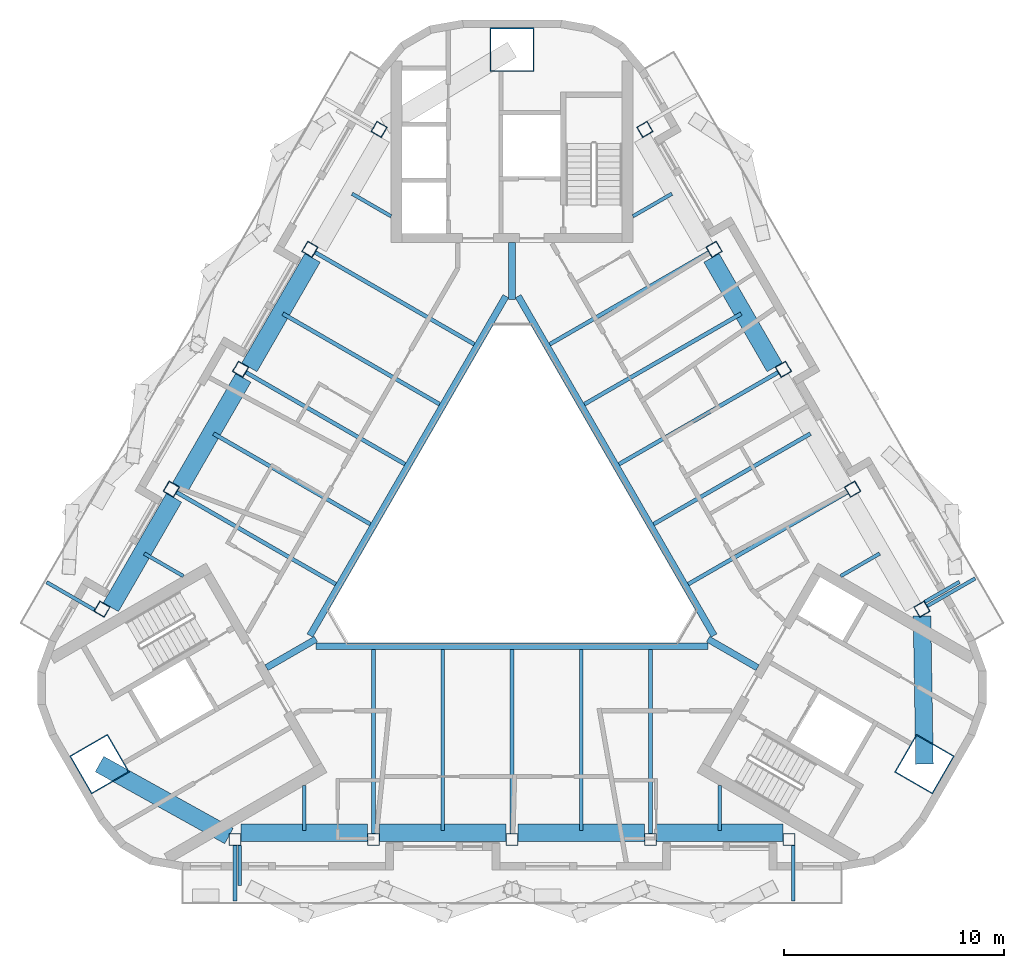
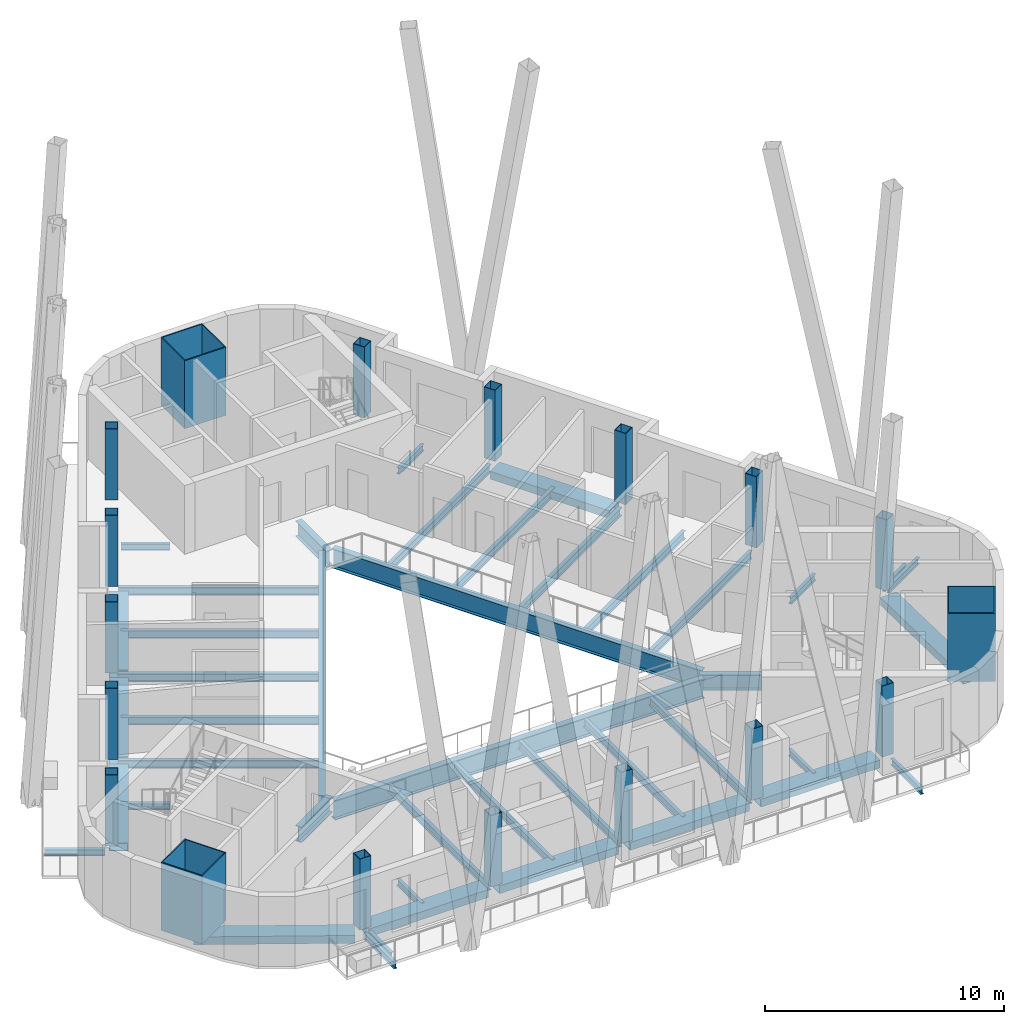
# One storey, part 1 of 12: 43 beams, 18 columns.
"""IFC4 building model written with IfcOpenShell, lengths in metres."""

from ifc_helpers import new_model, si_unit, direction, frame, origin, origin_2d, place, context, subcontext, project, spatial, rectangle, hollow_rectangle, i_section, extrude, boolean, halfspace, material, material_profile, profile_set, type_object, element, save


model = new_model("IFC4")

# Units and contexts
model_context = context("Model", 3, precision=1e-05, world=origin(), true_north=direction((0.0, 1.0)))
body_context = subcontext(model_context, "Body", "Model", "MODEL_VIEW")
ifc_project = project(units=[si_unit("LENGTHUNIT", "METRE"), si_unit("AREAUNIT", "SQUARE_METRE"), si_unit("VOLUMEUNIT", "CUBIC_METRE"), si_unit("PLANEANGLEUNIT", "RADIAN"), si_unit("MASSUNIT", "GRAM", prefix="KILO")], contexts=[model_context])

# Site, building, storey
site_placement = place(None, origin())
site = spatial("IfcSite", under=ifc_project, at=site_placement, CompositionType="ELEMENT")
building_placement = place(site_placement, origin())
building = spatial("IfcBuilding", under=site, at=building_placement, Name="Apuvela Tower Hotel", CompositionType="ELEMENT")
storey_placement = place(building_placement, frame((0.0, 0.0, 324.39990234375)))
storey = spatial("IfcBuildingStorey", under=building, at=storey_placement, Name="L81", CompositionType="ELEMENT", Elevation=324.39990234375)

# Columns
ifc_material_1 = material(Name="Steel S460", Category="steel")
ifc_material_profile_1 = material_profile(ifc_material_1, hollow_rectangle(XDim=2.0, YDim=2.0, WallThickness=0.050048828125, at=origin_2d()), Name="BOX 2000x2000x50")
ifc_material_2 = material(Name="Concrete C80/95", Category="concrete")
ifc_material_profile_2 = material_profile(ifc_material_2, rectangle(XDim=1.89990234375, YDim=1.89990234375, at=origin_2d()), Name="Concrete C80/95 infill")
ifc_profile_set_1 = profile_set([ifc_material_profile_1, ifc_material_profile_2], Name="Steel S460")
column_type_1 = type_object("IfcColumnType", Name="STR-MC mega column BOX 2000x2000x50", PredefinedType="COLUMN", material=ifc_profile_set_1)
for number, where, z_axis, x_axis, name in (
    (1, (0.0, 21.673828125, 0.0), (0.0, 0.0, 1.0), (1.0, 0.0, 0.0), "Mega column MC4 N"),
    (2, (-18.77001953125, -10.8369140625, 0.0), (0.0, 0.0, 1.0), (-0.5, 0.866025403784, 0.0), "Mega column MC4 SW"),
    (3, (18.77001953125, -10.8369140625, 0.0), (0.0, 0.0, 1.0), (0.5, 0.866025403784, 0.0), "Mega column MC4 SE"),
):
    element("IfcColumn", number, at=place(storey_placement, frame(where, z_axis=z_axis, x_axis=x_axis)), inside=storey, type_object=column_type_1, Name=name, PredefinedType="COLUMN", context=body_context, shape_type="SweptSolid", body=[
        boolean("DIFFERENCE", boolean("DIFFERENCE", extrude(hollow_rectangle(XDim=2.0, YDim=2.0, WallThickness=0.050048828125, at=origin_2d()), origin(), (0.0, 0.0, 1.0), 3.7001953125), halfspace(frame((0.0, 0.0, 0.11328125), z_axis=(0.0, 0.0, 1.0), x_axis=(1.0, 0.0, 0.0)), True)), halfspace(frame((0.0, 0.0, 3.5869140625), z_axis=(0.0, 0.0, 1.0), x_axis=(1.0, 0.0, 0.0)), False)),
    ])
ifc_material_profile_3 = material_profile(ifc_material_1, hollow_rectangle(XDim=0.550048828125, YDim=0.550048828125, WallThickness=0.02490234375, at=origin_2d()), Name="BOX 550x550x25")
ifc_material_profile_4 = material_profile(ifc_material_2, rectangle(XDim=0.5, YDim=0.5, at=origin_2d()), Name="Concrete C80/95 infill")
ifc_profile_set_2 = profile_set([ifc_material_profile_3, ifc_material_profile_4], Name="Steel S460")
column_type_2 = type_object("IfcColumnType", Name="STR-PC perimeter column BOX 550x550x25", PredefinedType="COLUMN", material=ifc_profile_set_2)
column_1_placement = place(storey_placement, frame((-12.60498046875, -14.260498046875, 0.0), z_axis=(0.0, 0.0, 1.0), x_axis=(-1.0, 0.0, 0.0)))
element("IfcColumn", 4, at=column_1_placement, inside=storey, type_object=column_type_2, Name="Perimeter column C7 S1", PredefinedType="COLUMN", context=body_context, shape_type="SweptSolid", body=[
    boolean("DIFFERENCE", boolean("DIFFERENCE", extrude(hollow_rectangle(XDim=0.550048828125, YDim=0.550048828125, WallThickness=0.02490234375, at=origin_2d()), origin(), (0.0, 0.0, 1.0), 3.7001953125), halfspace(frame((0.0, 0.0, 0.039794921875), z_axis=(0.0, 0.0, 1.0), x_axis=(1.0, 0.0, 0.0)), True)), halfspace(frame((0.0, 0.0, 3.660400390625), z_axis=(0.0, 0.0, 1.0), x_axis=(1.0, 0.0, 0.0)), False)),
])
column_2_placement = place(storey_placement, frame((-6.302490234375, -14.260498046875, 0.0), z_axis=(0.0, 0.0, 1.0), x_axis=(-1.0, 0.0, 0.0)))
element("IfcColumn", 5, at=column_2_placement, inside=storey, type_object=column_type_2, Name="Perimeter column C7 S2", PredefinedType="COLUMN", context=body_context, shape_type="SweptSolid", body=[
    boolean("DIFFERENCE", boolean("DIFFERENCE", extrude(hollow_rectangle(XDim=0.550048828125, YDim=0.550048828125, WallThickness=0.02490234375, at=origin_2d()), origin(), (0.0, 0.0, 1.0), 3.7001953125), halfspace(frame((0.0, 0.0, 0.033935546875), z_axis=(0.0, 0.0, 1.0), x_axis=(1.0, 0.0, 0.0)), True)), halfspace(frame((0.0, 0.0, 3.666259765625), z_axis=(0.0, 0.0, 1.0), x_axis=(1.0, 0.0, 0.0)), False)),
])
column_3_placement = place(storey_placement, frame((0.0, -14.260498046875, 0.0), z_axis=(0.0, 0.0, 1.0), x_axis=(-1.0, 0.0, 0.0)))
element("IfcColumn", 6, at=column_3_placement, inside=storey, type_object=column_type_2, Name="Perimeter column C7 S3", PredefinedType="COLUMN", context=body_context, shape_type="SweptSolid", body=[
    boolean("DIFFERENCE", boolean("DIFFERENCE", extrude(hollow_rectangle(XDim=0.550048828125, YDim=0.550048828125, WallThickness=0.02490234375, at=origin_2d()), origin(), (0.0, 0.0, 1.0), 3.7001953125), halfspace(frame((0.0, 0.0, 0.031494140625), z_axis=(0.0, 0.0, 1.0), x_axis=(1.0, 0.0, 0.0)), True)), halfspace(frame((0.0, 0.0, 3.668701171875), z_axis=(0.0, 0.0, 1.0), x_axis=(1.0, 0.0, 0.0)), False)),
])
column_4_placement = place(storey_placement, frame((6.302490234375, -14.260498046875, 0.0), z_axis=(0.0, 0.0, 1.0), x_axis=(-1.0, 0.0, 0.0)))
element("IfcColumn", 7, at=column_4_placement, inside=storey, type_object=column_type_2, Name="Perimeter column C7 S4", PredefinedType="COLUMN", context=body_context, shape_type="SweptSolid", body=[
    boolean("DIFFERENCE", boolean("DIFFERENCE", extrude(hollow_rectangle(XDim=0.550048828125, YDim=0.550048828125, WallThickness=0.02490234375, at=origin_2d()), origin(), (0.0, 0.0, 1.0), 3.7001953125), halfspace(frame((0.0, 0.0, 0.033935546875), z_axis=(0.0, 0.0, 1.0), x_axis=(1.0, 0.0, 0.0)), True)), halfspace(frame((0.0, 0.0, 3.666259765625), z_axis=(0.0, 0.0, 1.0), x_axis=(1.0, 0.0, 0.0)), False)),
])
for number, where, z_axis, x_axis, name in (
    (8, (12.60498046875, -14.260498046875, 0.0), (0.0, 0.0, 1.0), (-1.0, 0.0, 0.0), "Perimeter column C7 S5"),
    (9, (18.65234375, -3.785888671875, 0.0), (0.0, 0.0, 1.0), (-0.5, 0.866025403784, 0.0), "Perimeter column C7 NE1"),
):
    element("IfcColumn", number, at=place(storey_placement, frame(where, z_axis=z_axis, x_axis=x_axis)), inside=storey, type_object=column_type_2, Name=name, PredefinedType="COLUMN", context=body_context, shape_type="SweptSolid", body=[
        boolean("DIFFERENCE", boolean("DIFFERENCE", extrude(hollow_rectangle(XDim=0.550048828125, YDim=0.550048828125, WallThickness=0.02490234375, at=origin_2d()), origin(), (0.0, 0.0, 1.0), 3.7001953125), halfspace(frame((0.0, 0.0, 0.039794921875), z_axis=(0.0, 0.0, 1.0), x_axis=(1.0, 0.0, 0.0)), True)), halfspace(frame((0.0, 0.0, 3.660400390625), z_axis=(0.0, 0.0, 1.0), x_axis=(1.0, 0.0, 0.0)), False)),
    ])
column_5_placement = place(storey_placement, frame((15.501220703125, 1.672119140625, 0.0), z_axis=(0.0, 0.0, 1.0), x_axis=(-0.5, 0.866025403784, 0.0)))
element("IfcColumn", 10, at=column_5_placement, inside=storey, type_object=column_type_2, Name="Perimeter column C7 NE2", PredefinedType="COLUMN", context=body_context, shape_type="SweptSolid", body=[
    boolean("DIFFERENCE", boolean("DIFFERENCE", extrude(hollow_rectangle(XDim=0.550048828125, YDim=0.550048828125, WallThickness=0.02490234375, at=origin_2d()), origin(), (0.0, 0.0, 1.0), 3.7001953125), halfspace(frame((0.0, 0.0, 0.033935546875), z_axis=(0.0, 0.0, 1.0), x_axis=(1.0, 0.0, 0.0)), True)), halfspace(frame((0.0, 0.0, 3.666259765625), z_axis=(0.0, 0.0, 1.0), x_axis=(1.0, 0.0, 0.0)), False)),
])
column_6_placement = place(storey_placement, frame((12.349853515625, 7.130126953125, 0.0), z_axis=(0.0, 0.0, 1.0), x_axis=(-0.5, 0.866025403784, 0.0)))
element("IfcColumn", 11, at=column_6_placement, inside=storey, type_object=column_type_2, Name="Perimeter column C7 NE3", PredefinedType="COLUMN", context=body_context, shape_type="SweptSolid", body=[
    boolean("DIFFERENCE", boolean("DIFFERENCE", extrude(hollow_rectangle(XDim=0.550048828125, YDim=0.550048828125, WallThickness=0.02490234375, at=origin_2d()), origin(), (0.0, 0.0, 1.0), 3.7001953125), halfspace(frame((0.0, 0.0, 0.031494140625), z_axis=(0.0, 0.0, 1.0), x_axis=(1.0, 0.0, 0.0)), True)), halfspace(frame((0.0, 0.0, 3.668701171875), z_axis=(0.0, 0.0, 1.0), x_axis=(1.0, 0.0, 0.0)), False)),
])
column_7_placement = place(storey_placement, frame((9.198486328125, 12.58837890625, 0.0), z_axis=(0.0, 0.0, 1.0), x_axis=(-0.5, 0.866025403784, 0.0)))
element("IfcColumn", 12, at=column_7_placement, inside=storey, type_object=column_type_2, Name="Perimeter column C7 NE4", PredefinedType="COLUMN", context=body_context, shape_type="SweptSolid", body=[
    boolean("DIFFERENCE", boolean("DIFFERENCE", extrude(hollow_rectangle(XDim=0.550048828125, YDim=0.550048828125, WallThickness=0.02490234375, at=origin_2d()), origin(), (0.0, 0.0, 1.0), 3.7001953125), halfspace(frame((0.0, 0.0, 0.033935546875), z_axis=(0.0, 0.0, 1.0), x_axis=(1.0, 0.0, 0.0)), True)), halfspace(frame((0.0, 0.0, 3.666259765625), z_axis=(0.0, 0.0, 1.0), x_axis=(1.0, 0.0, 0.0)), False)),
])
for number, where, z_axis, x_axis, name in (
    (13, (6.04736328125, 18.04638671875, 0.0), (0.0, 0.0, 1.0), (-0.5, 0.866025403784, 0.0), "Perimeter column C7 NE5"),
    (14, (-6.04736328125, 18.04638671875, 0.0), (0.0, 0.0, 1.0), (0.5, 0.866025403784, 0.0), "Perimeter column C7 NW1"),
):
    element("IfcColumn", number, at=place(storey_placement, frame(where, z_axis=z_axis, x_axis=x_axis)), inside=storey, type_object=column_type_2, Name=name, PredefinedType="COLUMN", context=body_context, shape_type="SweptSolid", body=[
        boolean("DIFFERENCE", boolean("DIFFERENCE", extrude(hollow_rectangle(XDim=0.550048828125, YDim=0.550048828125, WallThickness=0.02490234375, at=origin_2d()), origin(), (0.0, 0.0, 1.0), 3.7001953125), halfspace(frame((0.0, 0.0, 0.039794921875), z_axis=(0.0, 0.0, 1.0), x_axis=(1.0, 0.0, 0.0)), True)), halfspace(frame((0.0, 0.0, 3.660400390625), z_axis=(0.0, 0.0, 1.0), x_axis=(1.0, 0.0, 0.0)), False)),
    ])
column_8_placement = place(storey_placement, frame((-9.198486328125, 12.58837890625, 0.0), z_axis=(0.0, 0.0, 1.0), x_axis=(0.5, 0.866025403784, 0.0)))
element("IfcColumn", 15, at=column_8_placement, inside=storey, type_object=column_type_2, Name="Perimeter column C7 NW2", PredefinedType="COLUMN", context=body_context, shape_type="SweptSolid", body=[
    boolean("DIFFERENCE", boolean("DIFFERENCE", extrude(hollow_rectangle(XDim=0.550048828125, YDim=0.550048828125, WallThickness=0.02490234375, at=origin_2d()), origin(), (0.0, 0.0, 1.0), 3.7001953125), halfspace(frame((0.0, 0.0, 0.033935546875), z_axis=(0.0, 0.0, 1.0), x_axis=(1.0, 0.0, 0.0)), True)), halfspace(frame((0.0, 0.0, 3.666259765625), z_axis=(0.0, 0.0, 1.0), x_axis=(1.0, 0.0, 0.0)), False)),
])
column_9_placement = place(storey_placement, frame((-12.349853515625, 7.130126953125, 0.0), z_axis=(0.0, 0.0, 1.0), x_axis=(0.5, 0.866025403784, 0.0)))
element("IfcColumn", 16, at=column_9_placement, inside=storey, type_object=column_type_2, Name="Perimeter column C7 NW3", PredefinedType="COLUMN", context=body_context, shape_type="SweptSolid", body=[
    boolean("DIFFERENCE", boolean("DIFFERENCE", extrude(hollow_rectangle(XDim=0.550048828125, YDim=0.550048828125, WallThickness=0.02490234375, at=origin_2d()), origin(), (0.0, 0.0, 1.0), 3.7001953125), halfspace(frame((0.0, 0.0, 0.031494140625), z_axis=(0.0, 0.0, 1.0), x_axis=(1.0, 0.0, 0.0)), True)), halfspace(frame((0.0, 0.0, 3.668701171875), z_axis=(0.0, 0.0, 1.0), x_axis=(1.0, 0.0, 0.0)), False)),
])
column_10_placement = place(storey_placement, frame((-15.501220703125, 1.672119140625, 0.0), z_axis=(0.0, 0.0, 1.0), x_axis=(0.5, 0.866025403784, 0.0)))
element("IfcColumn", 17, at=column_10_placement, inside=storey, type_object=column_type_2, Name="Perimeter column C7 NW4", PredefinedType="COLUMN", context=body_context, shape_type="SweptSolid", body=[
    boolean("DIFFERENCE", boolean("DIFFERENCE", extrude(hollow_rectangle(XDim=0.550048828125, YDim=0.550048828125, WallThickness=0.02490234375, at=origin_2d()), origin(), (0.0, 0.0, 1.0), 3.7001953125), halfspace(frame((0.0, 0.0, 0.033935546875), z_axis=(0.0, 0.0, 1.0), x_axis=(1.0, 0.0, 0.0)), True)), halfspace(frame((0.0, 0.0, 3.666259765625), z_axis=(0.0, 0.0, 1.0), x_axis=(1.0, 0.0, 0.0)), False)),
])
column_11_placement = place(storey_placement, frame((-18.65234375, -3.785888671875, 0.0), z_axis=(0.0, 0.0, 1.0), x_axis=(0.5, 0.866025403784, 0.0)))
element("IfcColumn", 18, at=column_11_placement, inside=storey, type_object=column_type_2, Name="Perimeter column C7 NW5", PredefinedType="COLUMN", context=body_context, shape_type="SweptSolid", body=[
    boolean("DIFFERENCE", boolean("DIFFERENCE", extrude(hollow_rectangle(XDim=0.550048828125, YDim=0.550048828125, WallThickness=0.02490234375, at=origin_2d()), origin(), (0.0, 0.0, 1.0), 3.7001953125), halfspace(frame((0.0, 0.0, 0.039794921875), z_axis=(0.0, 0.0, 1.0), x_axis=(1.0, 0.0, 0.0)), True)), halfspace(frame((0.0, 0.0, 3.660400390625), z_axis=(0.0, 0.0, 1.0), x_axis=(1.0, 0.0, 0.0)), False)),
])

# Beams
ifc_material_3 = material(Name="Steel S355", Category="steel")
ifc_material_profile_5 = material_profile(ifc_material_3, i_section(OverallWidth=0.159912109375, OverallDepth=0.330078125, WebThickness=0.007568359375, FlangeThickness=0.011474609375, at=origin_2d()), Name="IPE 330")
ifc_profile_set_3 = profile_set([ifc_material_profile_5], Name="Steel S355")
beam_type_1 = type_object("IfcBeamType", Name="ENV-BALCONY-BEAM-IPE330", PredefinedType="BEAM", material=ifc_profile_set_3)
beam_1_placement = place(storey_placement, frame((-12.60498046875, -14.535400390625, -0.31494140625), z_axis=(0.0, -1.0, 0.0), x_axis=(1.0, 0.0, 0.0)))
element("IfcBeam", 19, at=beam_1_placement, inside=storey, type_object=beam_type_1, Name="Balcony cantilever beam S1 L81", PredefinedType="BEAM", context=body_context, shape_type="SweptSolid", body=[
    extrude(i_section(OverallWidth=0.159912109375, OverallDepth=0.330078125, WebThickness=0.007568359375, FlangeThickness=0.011474609375, at=origin_2d()), origin(), (0.0, 0.0, 1.0), 2.52490234375),
])
beam_2_placement = place(storey_placement, frame((-12.385009765625, -14.535400390625, -0.31494140625), z_axis=(0.0, -1.0, 0.0), x_axis=(1.0, 0.0, 0.0)))
element("IfcBeam", 20, at=beam_2_placement, inside=storey, type_object=beam_type_1, Name="Balcony cantilever beam S2 L81", PredefinedType="BEAM", context=body_context, shape_type="SweptSolid", body=[
    extrude(i_section(OverallWidth=0.159912109375, OverallDepth=0.330078125, WebThickness=0.007568359375, FlangeThickness=0.011474609375, at=origin_2d()), origin(), (0.0, 0.0, 1.0), 1.824951171875),
])
for number, where, z_axis, x_axis, name in (
    (21, (12.804931640625, -14.535400390625, -0.31494140625), (0.0, -1.0, 0.0), (1.0, 0.0, 0.0), "Balcony cantilever beam S3 L81"),
    (22, (18.890380859375, -3.6484375, -0.31494140625), (0.866039067339, 0.499976333282, 0.0), (-0.499976333282, 0.866039067339, 0.0), "Balcony cantilever beam NE1 L81"),
):
    element("IfcBeam", number, at=place(storey_placement, frame(where, z_axis=z_axis, x_axis=x_axis)), inside=storey, type_object=beam_type_1, Name=name, PredefinedType="BEAM", context=body_context, shape_type="SweptSolid", body=[
        extrude(i_section(OverallWidth=0.159912109375, OverallDepth=0.330078125, WebThickness=0.007568359375, FlangeThickness=0.011474609375, at=origin_2d()), origin(), (0.0, 0.0, 1.0), 2.52490234375),
    ])
beam_3_placement = place(storey_placement, frame((18.780517578125, -3.4580078125, -0.31494140625), z_axis=(0.865978377894, 0.500081442387, 0.0), x_axis=(-0.500081442387, 0.865978377894, 0.0)))
element("IfcBeam", 23, at=beam_3_placement, inside=storey, type_object=beam_type_1, Name="Balcony cantilever beam NE2 L81", PredefinedType="BEAM", context=body_context, shape_type="SweptSolid", body=[
    extrude(i_section(OverallWidth=0.159912109375, OverallDepth=0.330078125, WebThickness=0.007568359375, FlangeThickness=0.011474609375, at=origin_2d()), origin(), (0.0, 0.0, 1.0), 1.824951171875),
])
beam_4_placement = place(storey_placement, frame((-18.990478515625, -3.82177734375, -0.31494140625), z_axis=(-0.865997200291, 0.500048846702, 0.0), x_axis=(-0.500048846702, -0.865997200291, 0.0)))
element("IfcBeam", 24, at=beam_4_placement, inside=storey, type_object=beam_type_1, Name="Balcony cantilever beam NW3 L81", PredefinedType="BEAM", context=body_context, shape_type="SweptSolid", body=[
    extrude(i_section(OverallWidth=0.159912109375, OverallDepth=0.330078125, WebThickness=0.007568359375, FlangeThickness=0.011474609375, at=origin_2d()), origin(), (0.0, 0.0, 1.0), 2.525146484375),
])
ifc_material_profile_6 = material_profile(ifc_material_3, i_section(OverallWidth=0.159912109375, OverallDepth=0.330078125, WebThickness=0.007568359375, FlangeThickness=0.011474609375, at=origin_2d()), Name="IPE 330")
ifc_profile_set_4 = profile_set([ifc_material_profile_6], Name="Steel S355")
beam_type_2 = type_object("IfcBeamType", Name="STR-B floor beam IPE 330", PredefinedType="BEAM", material=ifc_profile_set_4)
for number, where, z_axis, x_axis, name in (
    (25, (16.730224609375, -1.2568359375, -0.31494140625), (-0.865993345452, -0.500055522549, 0.0), (0.500055522549, -0.865993345452, 0.0), "Floor beam B1 NE2"),
    (26, (7.276611328125, 15.1171875, -0.31494140625), (-0.866044878051, -0.499966268063, 0.0), (0.499966268063, -0.866044878051, 0.0), "Floor beam B1 NE8"),
    (27, (-7.276611328125, 15.1171875, -0.31494140625), (0.866044878051, -0.499966268063, 0.0), (0.499966268063, 0.866044878051, 0.0), "Floor beam B1 NW2"),
    (28, (-16.730224609375, -1.2568359375, -0.31494140625), (0.865993345452, -0.500055522549, 0.0), (0.500055522549, 0.865993345452, 0.0), "Floor beam B1 NW8"),
    (29, (-9.45361328125, -13.8603515625, -0.31494140625), (0.0, 1.0, 0.0), (-1.0, 0.0, 0.0), "Floor beam B1 S2"),
    (30, (9.45361328125, -13.8603515625, -0.31494140625), (0.0, 1.0, 0.0), (-1.0, 0.0, 0.0), "Floor beam B1 S8"),
):
    element("IfcBeam", number, at=place(storey_placement, frame(where, z_axis=z_axis, x_axis=x_axis)), inside=storey, type_object=beam_type_2, Name=name, PredefinedType="BEAM", context=body_context, shape_type="SweptSolid", body=[
        extrude(i_section(OverallWidth=0.159912109375, OverallDepth=0.330078125, WebThickness=0.007568359375, FlangeThickness=0.011474609375, at=origin_2d()), origin(), (0.0, 0.0, 1.0), 2.051513671875),
    ])
ifc_material_profile_7 = material_profile(ifc_material_3, i_section(OverallWidth=0.179931640625, OverallDepth=0.39990234375, WebThickness=0.008544921875, FlangeThickness=0.013427734375, at=origin_2d()), Name="IPE 400")
ifc_profile_set_5 = profile_set([ifc_material_profile_7], Name="Steel S355")
beam_type_3 = type_object("IfcBeamType", Name="STR-B floor beam IPE 400", PredefinedType="BEAM", material=ifc_profile_set_5)
beam_5_placement = place(storey_placement, frame((15.262939453125, 1.53466796875, -0.349853515625), z_axis=(-0.866016455095, -0.500015499264, 0.0), x_axis=(0.500015499264, -0.866016455095, 0.0)))
element("IfcBeam", 31, at=beam_5_placement, inside=storey, type_object=beam_type_3, Name="Floor beam B2 NE3", PredefinedType="BEAM", context=body_context, shape_type="SweptSolid", body=[
    extrude(i_section(OverallWidth=0.179931640625, OverallDepth=0.39990234375, WebThickness=0.008544921875, FlangeThickness=0.013427734375, at=origin_2d()), origin(), (0.0, 0.0, 1.0), 8.365478515625),
])
beam_6_placement = place(storey_placement, frame((13.5791015625, 4.201171875, -0.349853515625), z_axis=(-0.866032148122, -0.499988318282, 0.0), x_axis=(0.499988318282, -0.866032148122, 0.0)))
element("IfcBeam", 32, at=beam_6_placement, inside=storey, type_object=beam_type_3, Name="Floor beam B2 NE4", PredefinedType="BEAM", context=body_context, shape_type="SweptSolid", body=[
    extrude(i_section(OverallWidth=0.179931640625, OverallDepth=0.39990234375, WebThickness=0.008544921875, FlangeThickness=0.013427734375, at=origin_2d()), origin(), (0.0, 0.0, 1.0), 8.240478515625),
])
beam_7_placement = place(storey_placement, frame((12.11181640625, 6.99267578125, -0.349853515625), z_axis=(-0.866029092459, -0.499993610973, 0.0), x_axis=(0.499993610973, -0.866029092459, 0.0)))
element("IfcBeam", 33, at=beam_7_placement, inside=storey, type_object=beam_type_3, Name="Floor beam B2 NE5", PredefinedType="BEAM", context=body_context, shape_type="SweptSolid", body=[
    extrude(i_section(OverallWidth=0.179931640625, OverallDepth=0.39990234375, WebThickness=0.008544921875, FlangeThickness=0.013427734375, at=origin_2d()), origin(), (0.0, 0.0, 1.0), 8.365234375),
])
beam_8_placement = place(storey_placement, frame((10.427734375, 9.6591796875, -0.349853515625), z_axis=(-0.866024741388, -0.500001147303, 0.0), x_axis=(0.500001147303, -0.866024741388, 0.0)))
element("IfcBeam", 34, at=beam_8_placement, inside=storey, type_object=beam_type_3, Name="Floor beam B2 NE6", PredefinedType="BEAM", context=body_context, shape_type="SweptSolid", body=[
    extrude(i_section(OverallWidth=0.179931640625, OverallDepth=0.39990234375, WebThickness=0.008544921875, FlangeThickness=0.013427734375, at=origin_2d()), origin(), (0.0, 0.0, 1.0), 8.240234375),
])
for number, where, z_axis, x_axis, name in (
    (35, (8.96044921875, 12.45068359375, -0.349853515625), (-0.866029092459, -0.499993610973, 0.0), (0.499993610973, -0.866029092459, 0.0), "Floor beam B2 NE7"),
    (36, (-8.96044921875, 12.45068359375, -0.349853515625), (0.866029092459, -0.499993610973, 0.0), (0.499993610973, 0.866029092459, 0.0), "Floor beam B2 NW3"),
):
    element("IfcBeam", number, at=place(storey_placement, frame(where, z_axis=z_axis, x_axis=x_axis)), inside=storey, type_object=beam_type_3, Name=name, PredefinedType="BEAM", context=body_context, shape_type="SweptSolid", body=[
        extrude(i_section(OverallWidth=0.179931640625, OverallDepth=0.39990234375, WebThickness=0.008544921875, FlangeThickness=0.013427734375, at=origin_2d()), origin(), (0.0, 0.0, 1.0), 8.365234375),
    ])
beam_9_placement = place(storey_placement, frame((-10.427734375, 9.6591796875, -0.349853515625), z_axis=(0.866024741388, -0.500001147303, 0.0), x_axis=(0.500001147303, 0.866024741388, 0.0)))
element("IfcBeam", 37, at=beam_9_placement, inside=storey, type_object=beam_type_3, Name="Floor beam B2 NW4", PredefinedType="BEAM", context=body_context, shape_type="SweptSolid", body=[
    extrude(i_section(OverallWidth=0.179931640625, OverallDepth=0.39990234375, WebThickness=0.008544921875, FlangeThickness=0.013427734375, at=origin_2d()), origin(), (0.0, 0.0, 1.0), 8.240234375),
])
beam_10_placement = place(storey_placement, frame((-12.11181640625, 6.99267578125, -0.349853515625), z_axis=(0.866029092459, -0.499993610973, 0.0), x_axis=(0.499993610973, 0.866029092459, 0.0)))
element("IfcBeam", 38, at=beam_10_placement, inside=storey, type_object=beam_type_3, Name="Floor beam B2 NW5", PredefinedType="BEAM", context=body_context, shape_type="SweptSolid", body=[
    extrude(i_section(OverallWidth=0.179931640625, OverallDepth=0.39990234375, WebThickness=0.008544921875, FlangeThickness=0.013427734375, at=origin_2d()), origin(), (0.0, 0.0, 1.0), 8.365234375),
])
beam_11_placement = place(storey_placement, frame((-13.5791015625, 4.201171875, -0.349853515625), z_axis=(0.866032148122, -0.499988318282, 0.0), x_axis=(0.499988318282, 0.866032148122, 0.0)))
element("IfcBeam", 39, at=beam_11_placement, inside=storey, type_object=beam_type_3, Name="Floor beam B2 NW6", PredefinedType="BEAM", context=body_context, shape_type="SweptSolid", body=[
    extrude(i_section(OverallWidth=0.179931640625, OverallDepth=0.39990234375, WebThickness=0.008544921875, FlangeThickness=0.013427734375, at=origin_2d()), origin(), (0.0, 0.0, 1.0), 8.240478515625),
])
beam_12_placement = place(storey_placement, frame((-15.262939453125, 1.53466796875, -0.349853515625), z_axis=(0.866016455095, -0.500015499264, 0.0), x_axis=(0.500015499264, 0.866016455095, 0.0)))
element("IfcBeam", 40, at=beam_12_placement, inside=storey, type_object=beam_type_3, Name="Floor beam B2 NW7", PredefinedType="BEAM", context=body_context, shape_type="SweptSolid", body=[
    extrude(i_section(OverallWidth=0.179931640625, OverallDepth=0.39990234375, WebThickness=0.008544921875, FlangeThickness=0.013427734375, at=origin_2d()), origin(), (0.0, 0.0, 1.0), 8.365478515625),
])
beam_13_placement = place(storey_placement, frame((-6.302490234375, -13.9853515625, -0.349853515625), z_axis=(0.0, 1.0, 0.0), x_axis=(-1.0, 0.0, 0.0)))
element("IfcBeam", 41, at=beam_13_placement, inside=storey, type_object=beam_type_3, Name="Floor beam B2 S3", PredefinedType="BEAM", context=body_context, shape_type="SweptSolid", body=[
    extrude(i_section(OverallWidth=0.179931640625, OverallDepth=0.39990234375, WebThickness=0.008544921875, FlangeThickness=0.013427734375, at=origin_2d()), origin(), (0.0, 0.0, 1.0), 8.365234375),
])
beam_14_placement = place(storey_placement, frame((-3.151123046875, -13.8603515625, -0.349853515625), z_axis=(0.0, 1.0, 0.0), x_axis=(-1.0, 0.0, 0.0)))
element("IfcBeam", 42, at=beam_14_placement, inside=storey, type_object=beam_type_3, Name="Floor beam B2 S4", PredefinedType="BEAM", context=body_context, shape_type="SweptSolid", body=[
    extrude(i_section(OverallWidth=0.179931640625, OverallDepth=0.39990234375, WebThickness=0.008544921875, FlangeThickness=0.013427734375, at=origin_2d()), origin(), (0.0, 0.0, 1.0), 8.240234375),
])
beam_15_placement = place(storey_placement, frame((0.0, -13.9853515625, -0.349853515625), z_axis=(0.0, 1.0, 0.0), x_axis=(-1.0, 0.0, 0.0)))
element("IfcBeam", 43, at=beam_15_placement, inside=storey, type_object=beam_type_3, Name="Floor beam B2 S5", PredefinedType="BEAM", context=body_context, shape_type="SweptSolid", body=[
    extrude(i_section(OverallWidth=0.179931640625, OverallDepth=0.39990234375, WebThickness=0.008544921875, FlangeThickness=0.013427734375, at=origin_2d()), origin(), (0.0, 0.0, 1.0), 8.365234375),
])
beam_16_placement = place(storey_placement, frame((3.151123046875, -13.8603515625, -0.349853515625), z_axis=(0.0, 1.0, 0.0), x_axis=(-1.0, 0.0, 0.0)))
element("IfcBeam", 44, at=beam_16_placement, inside=storey, type_object=beam_type_3, Name="Floor beam B2 S6", PredefinedType="BEAM", context=body_context, shape_type="SweptSolid", body=[
    extrude(i_section(OverallWidth=0.179931640625, OverallDepth=0.39990234375, WebThickness=0.008544921875, FlangeThickness=0.013427734375, at=origin_2d()), origin(), (0.0, 0.0, 1.0), 8.240234375),
])
beam_17_placement = place(storey_placement, frame((6.302490234375, -13.9853515625, -0.349853515625), z_axis=(0.0, 1.0, 0.0), x_axis=(-1.0, 0.0, 0.0)))
element("IfcBeam", 45, at=beam_17_placement, inside=storey, type_object=beam_type_3, Name="Floor beam B2 S7", PredefinedType="BEAM", context=body_context, shape_type="SweptSolid", body=[
    extrude(i_section(OverallWidth=0.179931640625, OverallDepth=0.39990234375, WebThickness=0.008544921875, FlangeThickness=0.013427734375, at=origin_2d()), origin(), (0.0, 0.0, 1.0), 8.365234375),
])
ifc_material_profile_8 = material_profile(ifc_material_3, i_section(OverallWidth=0.300048828125, OverallDepth=0.989990234375, WebThickness=0.0166015625, FlangeThickness=0.031005859375, at=origin_2d()), Name="HE 1000 A")
ifc_profile_set_6 = profile_set([ifc_material_profile_8], Name="Steel S355")
beam_type_4 = type_object("IfcBeamType", Name="STR-G atrium ring girder HE 1000 A", PredefinedType="BEAM", material=ifc_profile_set_6)
beam_18_placement = place(storey_placement, frame((-0.27978515625, 10.455078125, -0.64501953125), z_axis=(-0.500006541319, -0.866021627119, 0.0), x_axis=(0.866021627119, -0.500006541319, 0.0)))
element("IfcBeam", 46, at=beam_18_placement, inside=storey, type_object=beam_type_4, Name="Atrium ring girder G3 N-SW", PredefinedType="BEAM", context=body_context, shape_type="SweptSolid", body=[
    extrude(i_section(OverallWidth=0.300048828125, OverallDepth=0.989990234375, WebThickness=0.0166015625, FlangeThickness=0.031005859375, at=origin_2d()), origin(), (0.0, 0.0, 1.0), 17.828857421875),
])
beam_19_placement = place(storey_placement, frame((-8.91455078125, -5.469970703125, -0.64501953125), z_axis=(1.0, 0.0, 0.0), x_axis=(0.0, 1.0, 0.0)))
element("IfcBeam", 47, at=beam_19_placement, inside=storey, type_object=beam_type_4, Name="Atrium ring girder G3 SW-SE", PredefinedType="BEAM", context=body_context, shape_type="SweptSolid", body=[
    extrude(i_section(OverallWidth=0.300048828125, OverallDepth=0.989990234375, WebThickness=0.0166015625, FlangeThickness=0.031005859375, at=origin_2d()), origin(), (0.0, 0.0, 1.0), 17.8291015625),
])
beam_20_placement = place(storey_placement, frame((9.1943359375, -4.985107421875, -0.64501953125), z_axis=(-0.500006541319, 0.866021627119, 0.0), x_axis=(-0.866021627119, -0.500006541319, 0.0)))
element("IfcBeam", 48, at=beam_20_placement, inside=storey, type_object=beam_type_4, Name="Atrium ring girder G3 SE-N", PredefinedType="BEAM", context=body_context, shape_type="SweptSolid", body=[
    extrude(i_section(OverallWidth=0.300048828125, OverallDepth=0.989990234375, WebThickness=0.0166015625, FlangeThickness=0.031005859375, at=origin_2d()), origin(), (0.0, 0.0, 1.0), 17.828857421875),
])
ifc_material_profile_9 = material_profile(ifc_material_3, i_section(OverallWidth=0.300048828125, OverallDepth=0.800048828125, WebThickness=0.017578125, FlangeThickness=0.032958984375, at=origin_2d()), Name="HE 800 B")
ifc_profile_set_7 = profile_set([ifc_material_profile_9], Name="Steel S355")
beam_type_5 = type_object("IfcBeamType", Name="STR-GT core tie beam HE 800 B", PredefinedType="BEAM", material=ifc_profile_set_7)
for number, where, z_axis, x_axis, name in (
    (49, (0.0, 12.89990234375, -0.5498046875), (0.0, -1.0, 0.0), (1.0, 0.0, 0.0), "Core tie beam GT1 N"),
    (50, (-11.171630859375, -6.449951171875, -0.5498046875), (0.865997922154, 0.500047596559, 0.0), (-0.500047596559, 0.865997922154, 0.0), "Core tie beam GT1 SW"),
    (51, (11.171630859375, -6.449951171875, -0.5498046875), (-0.865997922154, 0.500047596559, 0.0), (-0.500047596559, -0.865997922154, 0.0), "Core tie beam GT1 SE"),
):
    element("IfcBeam", number, at=place(storey_placement, frame(where, z_axis=z_axis, x_axis=x_axis)), inside=storey, type_object=beam_type_5, Name=name, PredefinedType="BEAM", context=body_context, shape_type="SweptSolid", body=[
        extrude(i_section(OverallWidth=0.300048828125, OverallDepth=0.800048828125, WebThickness=0.017578125, FlangeThickness=0.032958984375, at=origin_2d()), origin(), (0.0, 0.0, 1.0), 2.599853515625),
    ])
ifc_material_profile_10 = material_profile(ifc_material_1, hollow_rectangle(XDim=0.800048828125, YDim=0.39990234375, WallThickness=0.02490234375, at=origin_2d()), Name="BOX 800x400x25")
ifc_profile_set_8 = profile_set([ifc_material_profile_10], Name="Steel S460")
beam_type_6 = type_object("IfcBeamType", Name="STR-RB perimeter ring beam BOX 800x400x25", PredefinedType="SPANDREL", material=ifc_profile_set_8)
for number, where, z_axis, x_axis, name in (
    (52, (-12.329833984375, -13.96044921875, -0.39990234375), (1.0, 0.0, 0.0), (0.0, 1.0, 0.0), "Ring beam RB1 S1"),
    (53, (-6.02734375, -13.96044921875, -0.39990234375), (1.0, 0.0, 0.0), (0.0, 1.0, 0.0), "Ring beam RB1 S2"),
    (54, (0.27490234375, -13.96044921875, -0.39990234375), (1.0, 0.0, 0.0), (0.0, 1.0, 0.0), "Ring beam RB1 S3"),
    (55, (6.577392578125, -13.96044921875, -0.39990234375), (1.0, 0.0, 0.0), (0.0, 1.0, 0.0), "Ring beam RB1 S4"),
    (56, (11.952392578125, 7.21826171875, -0.39990234375), (-0.49995513091, 0.866051307416, 0.0), (-0.866051307416, -0.49995513091, 0.0), "Ring beam RB1 NE3"),
    (57, (-9.076416015625, 12.2001953125, -0.39990234375), (-0.49995513091, -0.866051307416, 0.0), (0.866051307416, -0.49995513091, 0.0), "Ring beam RB1 NW2"),
    (58, (-12.2275390625, 6.741943359375, -0.39990234375), (-0.500005339912, -0.866022320763, 0.0), (0.866022320763, -0.500005339912, 0.0), "Ring beam RB1 NW3"),
):
    element("IfcBeam", number, at=place(storey_placement, frame(where, z_axis=z_axis, x_axis=x_axis)), inside=storey, type_object=beam_type_6, Name=name, PredefinedType="SPANDREL", context=body_context, shape_type="SweptSolid", body=[
        extrude(hollow_rectangle(XDim=0.800048828125, YDim=0.39990234375, WallThickness=0.02490234375, at=origin_2d()), origin(), (0.0, 0.0, 1.0), 5.75244140625),
    ])
beam_21_placement = place(storey_placement, frame((-15.37890625, 1.283935546875, -0.39990234375), z_axis=(-0.499973507871, -0.866040698482, 0.0), x_axis=(0.866040698482, -0.499973507871, 0.0)))
element("IfcBeam", 59, at=beam_21_placement, inside=storey, type_object=beam_type_6, Name="Ring beam RB1 NW4", PredefinedType="SPANDREL", context=body_context, shape_type="SweptSolid", body=[
    extrude(hollow_rectangle(XDim=0.800048828125, YDim=0.39990234375, WallThickness=0.02490234375, at=origin_2d()), origin(), (0.0, 0.0, 1.0), 5.752197265625),
])
for number, where, z_axis, x_axis, name in (
    (60, (-12.8798828125, -14.107666015625, -0.39990234375), (-0.874254688292, 0.485467547834, 0.0), (-0.485467547834, -0.874254688292, 0.0), "Ring beam RB1 S1-SW"),
    (61, (18.657470703125, -4.1005859375, -0.39990234375), (0.016705409891, -0.999860454904, 0.0), (0.999860454904, 0.016705409891, 0.0), "Ring beam RB1 NE1-SE"),
):
    element("IfcBeam", number, at=place(storey_placement, frame(where, z_axis=z_axis, x_axis=x_axis)), inside=storey, type_object=beam_type_6, Name=name, PredefinedType="SPANDREL", context=body_context, shape_type="SweptSolid", body=[
        extrude(hollow_rectangle(XDim=0.800048828125, YDim=0.39990234375, WallThickness=0.02490234375, at=origin_2d()), origin(), (0.0, 0.0, 1.0), 6.7373046875),
    ])

save(model, "model.ifc")
